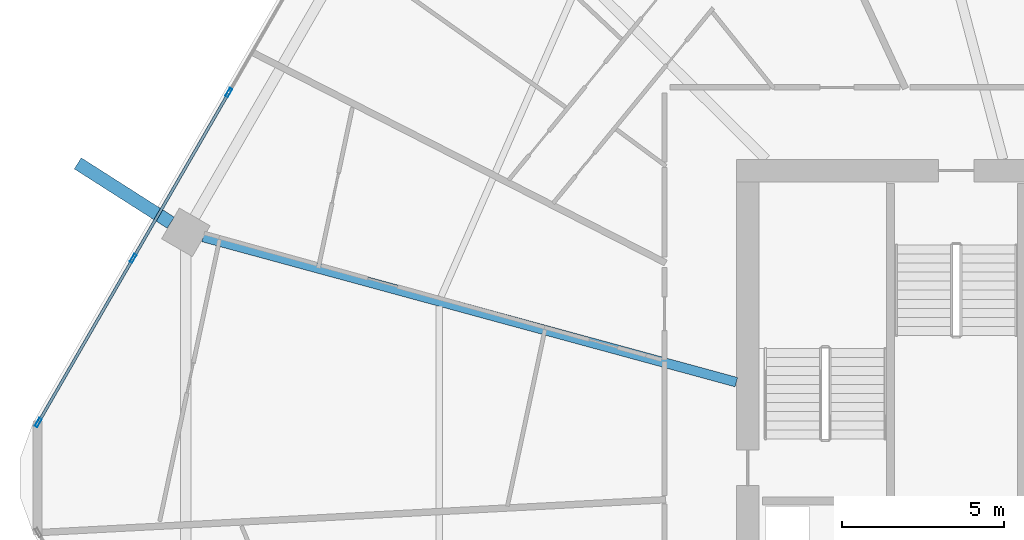
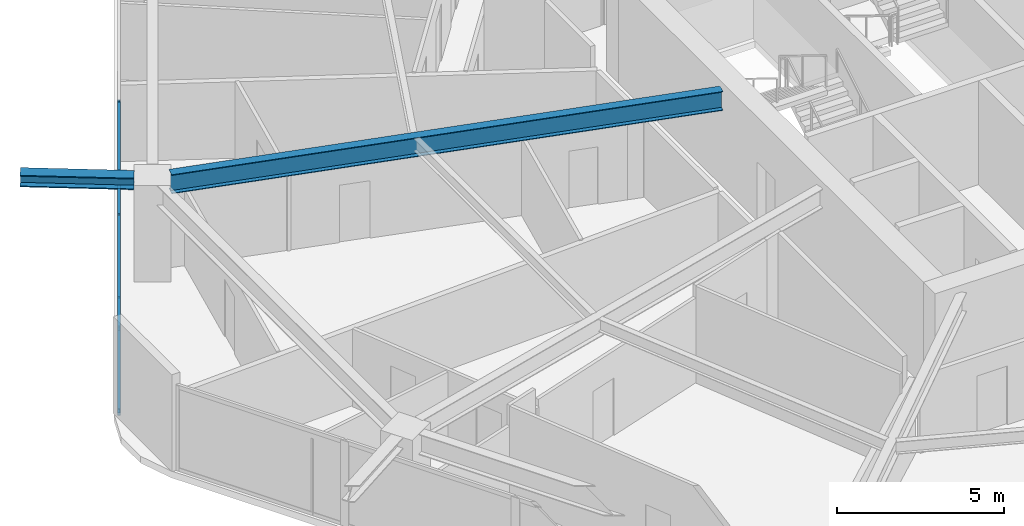
# One storey, part 13 of 33: 7 members, 2 beams, 1 element without a shape of its own.
"""IFC4 building model written with IfcOpenShell, lengths in metres."""

from ifc_helpers import new_model, si_unit, direction, frame, origin, origin_2d, place, context, subcontext, project, spatial, hollow_rectangle, i_section, extrude, material, material_profile, profile_set, type_object, element, aggregate, save


model = new_model("IFC4")

# Units and contexts
model_context = context("Model", 3, precision=1e-05, world=origin(), true_north=direction((0.0, 1.0)))
body_context = subcontext(model_context, "Body", "Model", "MODEL_VIEW")
ifc_project = project(units=[si_unit("LENGTHUNIT", "METRE"), si_unit("AREAUNIT", "SQUARE_METRE"), si_unit("VOLUMEUNIT", "CUBIC_METRE"), si_unit("PLANEANGLEUNIT", "RADIAN"), si_unit("MASSUNIT", "GRAM", prefix="KILO")], contexts=[model_context])

# Site, building, storey
site_placement = place(None, origin())
site = spatial("IfcSite", under=ifc_project, at=site_placement, CompositionType="ELEMENT")
building_placement = place(site_placement, origin())
building = spatial("IfcBuilding", under=site, at=building_placement, Name="Zuhravey Tower", CompositionType="ELEMENT")
storey_placement = place(building_placement, frame((0.0, 0.0, 126.60009765625)))
storey = spatial("IfcBuildingStorey", under=building, at=storey_placement, Name="L31", CompositionType="ELEMENT", Elevation=126.60009765625)

# Curtain wall, members
ifc_material_1 = material(Name="Thermally broken anodised aluminium", Category="aluminium")
curtain_wall_type = type_object("IfcCurtainWallType", Name="Zone 1-2 Residential Curtain Wall CW3", PredefinedType="NOTDEFINED", material=ifc_material_1)
curtain_wall_placement = place(storey_placement, origin())
curtain_wall = element("IfcCurtainWall", 1, at=curtain_wall_placement, inside=storey, type_object=curtain_wall_type, Name="L31 CW3 CW-L31-F3-1", PredefinedType="NOTDEFINED")
ifc_material_2 = material(Name="Anodised aluminium", Category="aluminium")
ifc_material_profile_1 = material_profile(ifc_material_2, hollow_rectangle(XDim=0.090087890625, YDim=0.284912109375, WallThickness=0.0048828125, at=origin_2d()), Name="ALU-RHS-90x285x5")
ifc_profile_set_1 = profile_set([ifc_material_profile_1], Name="Anodised aluminium")
member_type_1 = type_object("IfcMemberType", Name="Curtain-Wall Mullion 90x180", PredefinedType="MULLION", material=ifc_profile_set_1)
member_1_placement = place(storey_placement, frame((3.5439453125, 33.701416015625, 0.0), z_axis=(0.0, 0.0, 1.0), x_axis=(-0.86602552265, 0.499999794119, 0.0)))
member_1 = element("IfcMember", 2, at=member_1_placement, type_object=member_type_1, Name="CW3 mullion 1", PredefinedType="MULLION", context=body_context, shape_type="SweptSolid", body=[
    extrude(hollow_rectangle(XDim=0.090087890625, YDim=0.284912109375, WallThickness=0.0048828125, at=origin_2d()), origin(), (0.0, 0.0, 1.0), 3.121826171875),
])
member_2_placement = place(storey_placement, frame((6.4814453125, 38.789306640625, 0.0), z_axis=(0.0, 0.0, 1.0), x_axis=(-0.86602552265, 0.499999794119, 0.0)))
member_2 = element("IfcMember", 3, at=member_2_placement, type_object=member_type_1, Name="CW3 mullion 2", PredefinedType="MULLION", context=body_context, shape_type="SweptSolid", body=[
    extrude(hollow_rectangle(XDim=0.090087890625, YDim=0.284912109375, WallThickness=0.0048828125, at=origin_2d()), origin(), (0.0, 0.0, 1.0), 3.121826171875),
])
member_3_placement = place(storey_placement, frame((9.44140625, 43.916015625, 0.0), z_axis=(0.0, 0.0, 1.0), x_axis=(-0.86602552265, 0.499999794119, 0.0)))
member_3 = element("IfcMember", 4, at=member_3_placement, type_object=member_type_1, Name="CW3 mullion 3", PredefinedType="MULLION", context=body_context, shape_type="SweptSolid", body=[
    extrude(hollow_rectangle(XDim=0.090087890625, YDim=0.284912109375, WallThickness=0.0048828125, at=origin_2d()), origin(), (0.0, 0.0, 1.0), 3.121826171875),
])
ifc_material_profile_2 = material_profile(ifc_material_2, hollow_rectangle(XDim=0.090087890625, YDim=0.14990234375, WallThickness=0.0048828125, at=origin_2d()), Name="ALU-RHS-90x150x5")
ifc_profile_set_2 = profile_set([ifc_material_profile_2], Name="Anodised aluminium")
member_type_2 = type_object("IfcMemberType", Name="Curtain-Wall Transom 90x150", PredefinedType="USERDEFINED", material=ifc_profile_set_2)
member_4_placement = place(storey_placement, frame((3.56640625, 33.740478515625, 0.044921875), z_axis=(0.500024450573, 0.866011286779, 0.0), x_axis=(-0.866011286779, 0.500024450573, 0.0)))
member_4 = element("IfcMember", 5, at=member_4_placement, type_object=member_type_2, Name="CW3 transom 1.1", ObjectType="TRANSOM", PredefinedType="USERDEFINED", context=body_context, shape_type="SweptSolid", body=[
    extrude(hollow_rectangle(XDim=0.090087890625, YDim=0.14990234375, WallThickness=0.0048828125, at=origin_2d()), origin(), (0.0, 0.0, 1.0), 5.784912109375),
])
member_5_placement = place(storey_placement, frame((3.56640625, 33.740478515625, 3.076904296875), z_axis=(0.500024450573, 0.866011286779, 0.0), x_axis=(-0.866011286779, 0.500024450573, 0.0)))
member_5 = element("IfcMember", 6, at=member_5_placement, type_object=member_type_2, Name="CW3 transom 1.2", ObjectType="TRANSOM", PredefinedType="USERDEFINED", context=body_context, shape_type="SweptSolid", body=[
    extrude(hollow_rectangle(XDim=0.090087890625, YDim=0.14990234375, WallThickness=0.0048828125, at=origin_2d()), origin(), (0.0, 0.0, 1.0), 5.784912109375),
])
member_6_placement = place(storey_placement, frame((6.50390625, 38.828125, 0.044921875), z_axis=(0.499981042766, 0.866036348472, 0.0), x_axis=(-0.866036348472, 0.499981042766, 0.0)))
member_6 = element("IfcMember", 7, at=member_6_placement, type_object=member_type_2, Name="CW3 transom 2.1", ObjectType="TRANSOM", PredefinedType="USERDEFINED", context=body_context, shape_type="SweptSolid", body=[
    extrude(hollow_rectangle(XDim=0.090087890625, YDim=0.14990234375, WallThickness=0.0048828125, at=origin_2d()), origin(), (0.0, 0.0, 1.0), 5.829833984375),
])
member_7_placement = place(storey_placement, frame((6.50390625, 38.828125, 3.076904296875), z_axis=(0.499981042766, 0.866036348472, 0.0), x_axis=(-0.866036348472, 0.499981042766, 0.0)))
member_7 = element("IfcMember", 8, at=member_7_placement, type_object=member_type_2, Name="CW3 transom 2.2", ObjectType="TRANSOM", PredefinedType="USERDEFINED", context=body_context, shape_type="SweptSolid", body=[
    extrude(hollow_rectangle(XDim=0.090087890625, YDim=0.14990234375, WallThickness=0.0048828125, at=origin_2d()), origin(), (0.0, 0.0, 1.0), 5.829833984375),
])
aggregate(curtain_wall, [member_1, member_2, member_3, member_4, member_5, member_6, member_7])

# Beams
ifc_material_3 = material(Name="Steel SM460", Category="steel")
ifc_material_profile_3 = material_profile(ifc_material_3, i_section(OverallWidth=0.406982421875, OverallDepth=0.427978515625, WebThickness=0.02001953125, FlangeThickness=0.034912109375, at=origin_2d()), Name="H-428x407x20x35")
ifc_profile_set_3 = profile_set([ifc_material_profile_3], Name="Steel SM460")
beam_type_1 = type_object("IfcBeamType", Name="Exoskeleton Node Tie Beam H428x407", PredefinedType="BEAM", material=ifc_profile_set_3)
beam_1_placement = place(storey_placement, frame((7.643310546875, 39.889892578125, 3.3359375), z_axis=(-0.843069148412, 0.537805179407, 0.0), x_axis=(-0.537805179407, -0.843069148412, 0.0)))
element("IfcBeam", 9, at=beam_1_placement, inside=storey, type_object=beam_type_1, Name="L31 Exoskeleton Node Tie NT1-06", PredefinedType="BEAM", context=body_context, shape_type="SweptSolid", body=[
    extrude(i_section(OverallWidth=0.406982421875, OverallDepth=0.427978515625, WebThickness=0.02001953125, FlangeThickness=0.034912109375, at=origin_2d()), origin(), (0.0, 0.0, 1.0), 3.414306640625),
])
ifc_material_4 = material(Name="Steel SM355", Category="steel")
ifc_material_profile_4 = material_profile(ifc_material_4, i_section(OverallWidth=0.300048828125, OverallDepth=0.699951171875, WebThickness=0.012939453125, FlangeThickness=0.02392578125, at=origin_2d()), Name="H-700x300x13x24")
ifc_profile_set_4 = profile_set([ifc_material_profile_4], Name="Steel SM355")
beam_type_2 = type_object("IfcBeamType", Name="Radial Primary Girder H700x300", PredefinedType="BEAM", material=ifc_profile_set_4)
beam_2_placement = place(storey_placement, frame((25.14697265625, 34.954345703125, 3.199951171875), z_axis=(-0.964893166225, 0.262642680791, 0.0), x_axis=(-0.262642680791, -0.964893166225, 0.0)))
element("IfcBeam", 10, at=beam_2_placement, inside=storey, type_object=beam_type_2, Name="L31 RG1 BM-L31-RAD-06", PredefinedType="BEAM", context=body_context, shape_type="SweptSolid", body=[
    extrude(i_section(OverallWidth=0.300048828125, OverallDepth=0.699951171875, WebThickness=0.012939453125, FlangeThickness=0.02392578125, at=origin_2d()), origin(), (0.0, 0.0, 1.0), 17.102783203125),
])

save(model, "model.ifc")
